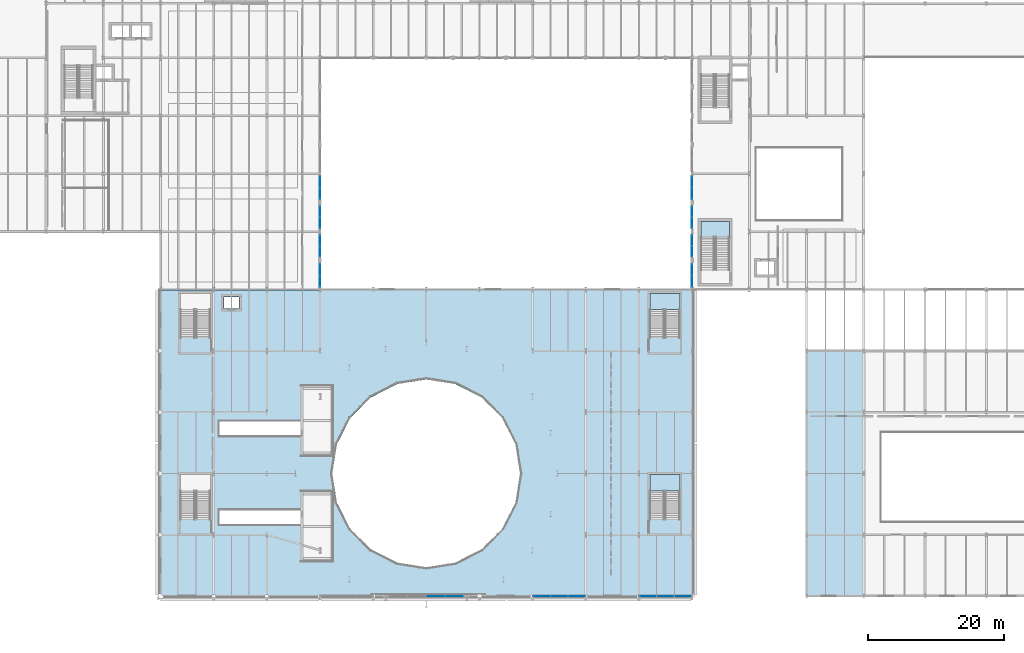
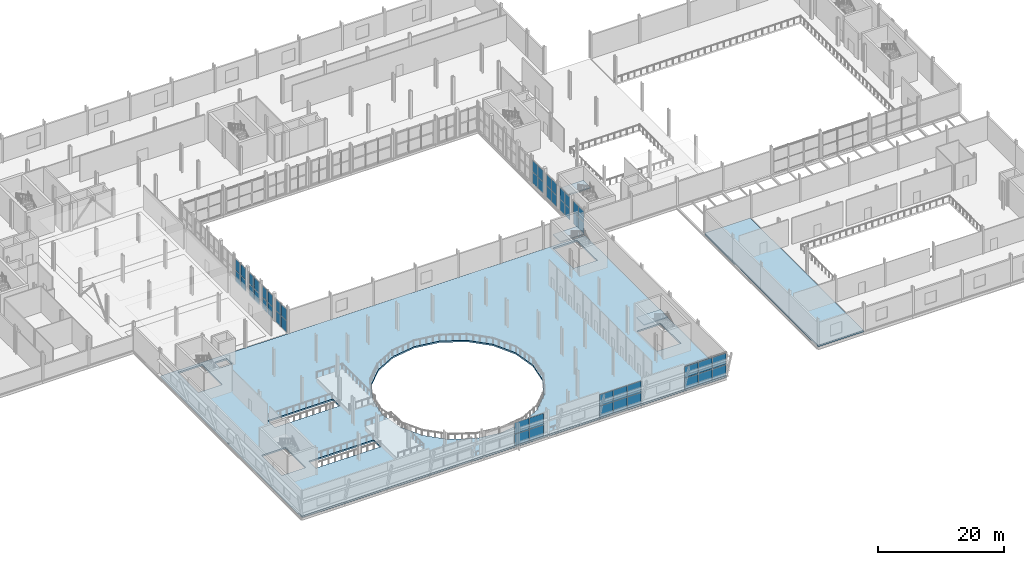
# One storey, part 39 of 78: 48 plates, 5 slabs, 14 elements without a shape of their own.
"""IFC4 building model written with IfcOpenShell, lengths in metres."""

import ifcopenshell
import ifcopenshell.guid

model = None  # the IFC model being written
_history = None  # IfcOwnerHistory: only IFC2X3 demands one
_inside = {}  # id of a spatial element -> (the spatial element, [elements in it])
_under = {}  # id of a project, library or spatial element -> (it, [spatial elements below it])
_declared = {}  # id of a project -> (the project, [libraries it declares])
_typed = {}  # id of a type object -> (the type object, [elements of that type])
_made_of = {}  # id of a material, layer set ... -> (it, [elements and type objects made of it])


def new_model(schema):
    """Start an empty IFC model of exactly this schema.

    Asked for "IFC4X3", IfcOpenShell would pick the latest addendum, in which some entities
    have other attributes; the version numbers below select the first issue.
    IFC2X3 requires an IfcOwnerHistory on every rooted entity: one is made here for all.
    """
    global model, _history
    if schema == "IFC4X3":
        model = ifcopenshell.file(schema_version=(4, 3, 0, 0))
    else:
        model = ifcopenshell.file(schema=schema)
    _inside.clear()
    _under.clear()
    _declared.clear()
    _typed.clear()
    _made_of.clear()
    _history = None
    if model.schema == "IFC2X3":
        org = make("IfcOrganization", Name="unknown")
        user = make(
            "IfcPersonAndOrganization",
            ThePerson=make("IfcPerson", FamilyName="unknown"),
            TheOrganization=org,
        )
        app = make(
            "IfcApplication",
            ApplicationDeveloper=org,
            Version="unknown",
            ApplicationFullName="unknown",
            ApplicationIdentifier="unknown",
        )
        _history = make(
            "IfcOwnerHistory",
            OwningUser=user,
            OwningApplication=app,
            ChangeAction="ADDED",
            CreationDate=0,
        )
    return model


def make(cls, **values):
    """One entity of the class cls with the attributes given. An attribute that is None is left unset."""
    return model.create_entity(
        cls, **{name: value for name, value in values.items() if value is not None}
    )


def rooted(cls, **values):
    """An entity with a GlobalId (a new one), such as an element, a storey or a relation."""
    return make(cls, GlobalId=ifcopenshell.guid.new(), OwnerHistory=_history, **values)


def si_unit(unit_type, name, prefix=None):
    """IfcSIUnit, for example si_unit("LENGTHUNIT", "METRE", prefix="MILLI")."""
    return make("IfcSIUnit", UnitType=unit_type, Prefix=prefix, Name=name)


def assignment(units):
    """IfcUnitAssignment: the units of a project."""
    return None if units is None else make("IfcUnitAssignment", Units=units)


def point(xyz):
    """IfcCartesianPoint."""
    return None if xyz is None else make("IfcCartesianPoint", Coordinates=xyz)


def direction(xyz):
    """IfcDirection."""
    return None if xyz is None else make("IfcDirection", DirectionRatios=xyz)


def frame(location, z_axis=None, x_axis=None):
    """IfcAxis2Placement3D, a coordinate frame: its origin and axes. An axis left out is left unset."""
    return make(
        "IfcAxis2Placement3D",
        Location=point(location),
        Axis=direction(z_axis),
        RefDirection=direction(x_axis),
    )


def frame_2d(location, x_axis=None):
    """IfcAxis2Placement2D, a coordinate frame in the plane: its origin and x axis."""
    return make(
        "IfcAxis2Placement2D", Location=point(location), RefDirection=direction(x_axis)
    )


def origin():
    """The frame at (0, 0, 0) with its axes left unset."""
    return frame((0.0, 0.0, 0.0))


def origin_2d():
    """The frame at (0, 0) in the plane with its x axis left unset."""
    return frame_2d((0.0, 0.0))


def place(relative_to, where):
    """IfcLocalPlacement: puts the frame where relative to a parent placement (None: the world)."""
    return make(
        "IfcLocalPlacement", PlacementRelTo=relative_to, RelativePlacement=where
    )


def context(
    kind, dimensions, precision=None, world=None, true_north=None, identifier=None
):
    """IfcGeometricRepresentationContext, for example the 3D "Model" context."""
    return make(
        "IfcGeometricRepresentationContext",
        ContextIdentifier=identifier,
        ContextType=kind,
        CoordinateSpaceDimension=dimensions,
        Precision=precision,
        WorldCoordinateSystem=world,
        TrueNorth=true_north,
    )


def subcontext(parent, identifier, kind, view, scale=None):
    """IfcGeometricRepresentationSubContext, for example "Body" below "Model"."""
    return make(
        "IfcGeometricRepresentationSubContext",
        ContextIdentifier=identifier,
        ContextType=kind,
        ParentContext=parent,
        TargetScale=scale,
        TargetView=view,
    )


def project(units=None, contexts=None):
    """IfcProject with its units and contexts."""
    return rooted(
        "IfcProject",
        Name="project",
        RepresentationContexts=contexts,
        UnitsInContext=assignment(units),
    )


def spatial(cls, under=None, at=None, **own):
    """A site, building, storey or space (cls), placed at a placement, below another one or the project."""
    s = rooted(cls, ObjectPlacement=at, **own)
    if under is not None:
        _under.setdefault(under.id(), (under, []))[1].append(s)
    return s


def polyline(points):
    """IfcPolyline through the points."""
    return make("IfcPolyline", Points=[point(p) for p in points])


def profile(cls, at=None, kind="AREA", **sizes):
    """A parametric profile (cls). Its sizes go by their IFC names, for example OverallWidth=200.0."""
    return make(cls, ProfileType=kind, Position=at, **sizes)


def rectangle(**sizes):
    """IfcRectangleProfileDef."""
    return profile("IfcRectangleProfileDef", **sizes)


def outline(outer, holes=None, kind="AREA"):
    """IfcArbitraryClosedProfileDef: a profile drawn as a closed curve; with holes, ...WithVoids."""
    if holes is None:
        return make("IfcArbitraryClosedProfileDef", ProfileType=kind, OuterCurve=outer)
    return make(
        "IfcArbitraryProfileDefWithVoids",
        ProfileType=kind,
        OuterCurve=outer,
        InnerCurves=holes,
    )


def extrude(swept, where, along, depth):
    """IfcExtrudedAreaSolid: the profile swept, set in the frame where, extruded along a direction by depth."""
    return make(
        "IfcExtrudedAreaSolid",
        SweptArea=swept,
        Position=where,
        ExtrudedDirection=direction(along),
        Depth=depth,
    )


def shape(context_of_items, identifier, shape_type, items):
    """IfcShapeRepresentation: the items that make up one representation, for example the "Body"."""
    return make(
        "IfcShapeRepresentation",
        ContextOfItems=context_of_items,
        RepresentationIdentifier=identifier,
        RepresentationType=shape_type,
        Items=items,
    )


def material(Name=None, Category=None):
    """IfcMaterial."""
    return make("IfcMaterial", Name=Name, Category=Category)


def layer(
    of_material, thickness, ventilated=None, Name=None, Category=None, Priority=None
):
    """IfcMaterialLayer: one layer of a wall or slab, of a material (None: an air gap)."""
    return make(
        "IfcMaterialLayer",
        Material=of_material,
        LayerThickness=thickness,
        IsVentilated=ventilated,
        Name=Name,
        Category=Category,
        Priority=Priority,
    )


def layer_set(layers, Name=None):
    """IfcMaterialLayerSet."""
    return make("IfcMaterialLayerSet", MaterialLayers=layers, LayerSetName=Name)


def made_of(thing, what):
    """Note that an element or type object is made of a material, layer set ...; save() writes the relation."""
    if what is not None:
        _made_of.setdefault(what.id(), (what, []))[1].append(thing)
    return thing


def type_object(cls, material=None, **own):
    """A type object (cls), such as IfcWallType, which elements share."""
    return made_of(rooted(cls, **own), material)


def element(
    cls,
    number,
    at=None,
    inside=None,
    cuts=None,
    type_object=None,
    material=None,
    context=None,
    identifier="Body",
    shape_type=None,
    held_by="IfcProductDefinitionShape",
    body=None,
    shapes=None,
    **own,
):
    """One element of the class cls, such as IfcWall. Its Tag is "e" and its number.

    at: its placement. inside: the storey or other place that contains it. cuts: it is an
    opening in that element (IfcRelVoidsElement). A single representation is given by context,
    identifier, shape_type and body (its items); several are given by shapes. held_by: the class
    of the entity that holds the representations. save() writes the other relations.
    """
    e = rooted(cls, Tag="e%d" % number, ObjectPlacement=at, **own)
    if body is not None:
        shapes = [shape(context, identifier, shape_type, body)]
    if shapes is not None:
        e.Representation = make(held_by, Representations=shapes)
    if inside is not None:
        _inside.setdefault(inside.id(), (inside, []))[1].append(e)
    if cuts is not None:
        rooted(
            "IfcRelVoidsElement", RelatingBuildingElement=cuts, RelatedOpeningElement=e
        )
    if type_object is not None:
        _typed.setdefault(type_object.id(), (type_object, []))[1].append(e)
    return made_of(e, material)


def aggregate(whole, parts):
    """IfcRelAggregates: a whole, such as a stair, and the parts it consists of."""
    return rooted("IfcRelAggregates", RelatingObject=whole, RelatedObjects=parts)


def save(model, path):
    """Write the relations noted so far, then the file.

    IfcRelAggregates (storeys below a building ...), IfcRelContainedInSpatialStructure (elements
    in a storey), IfcRelDefinesByType, IfcRelAssociatesMaterial and IfcRelDeclares: one each for
    every whole, place, type object, material and project.
    """
    for whole, parts in _under.values():
        aggregate(whole, parts)
    for where, things in _inside.values():
        rooted(
            "IfcRelContainedInSpatialStructure",
            RelatedElements=things,
            RelatingStructure=where,
        )
    for kind, things in _typed.values():
        rooted("IfcRelDefinesByType", RelatedObjects=things, RelatingType=kind)
    for what, things in _made_of.values():
        rooted("IfcRelAssociatesMaterial", RelatedObjects=things, RelatingMaterial=what)
    for by, libraries in _declared.values():
        rooted("IfcRelDeclares", RelatingContext=by, RelatedDefinitions=libraries)
    model.write(path)


model = new_model("IFC4")

# Units and contexts
model_context = context("Model", 3, precision=1e-05, world=origin(), true_north=direction((0.0, 1.0)))
body_context = subcontext(model_context, "Body", "Model", "MODEL_VIEW")
ifc_project = project(units=[si_unit("LENGTHUNIT", "METRE"), si_unit("AREAUNIT", "SQUARE_METRE"), si_unit("VOLUMEUNIT", "CUBIC_METRE"), si_unit("PLANEANGLEUNIT", "RADIAN"), si_unit("MASSUNIT", "GRAM", prefix="KILO")], contexts=[model_context])

# Site, building, storey
site_placement = place(None, origin())
site = spatial("IfcSite", under=ifc_project, at=site_placement, CompositionType="ELEMENT")
building_placement = place(site_placement, origin())
building = spatial("IfcBuilding", under=site, at=building_placement, Name="Sefraquen Railside Congress Hotel", CompositionType="ELEMENT")
storey_placement = place(building_placement, frame((0.0, 0.0, 6.0)))
storey = spatial("IfcBuildingStorey", under=building, at=storey_placement, Name="L01", CompositionType="ELEMENT", Elevation=6.0)

# Curtain wall, plates
ifc_material_1 = material(Name="Thermally broken anodised aluminium and low-E double glazing", Category="aluminium")
ifc_layer_1 = layer(ifc_material_1, 0.199951171875)
ifc_layer_set_1 = layer_set([ifc_layer_1], Name="Thermally broken anodised aluminium and low-E double glazing")
curtain_wall_type_1 = type_object("IfcCurtainWallType", Name="TCW-UCW-07", PredefinedType="USERDEFINED", material=ifc_layer_set_1)
curtain_wall_1_placement = place(storey_placement, origin())
curtain_wall_1 = element("IfcCurtainWall", 1, at=curtain_wall_1_placement, inside=storey, type_object=curtain_wall_type_1, Name="Congress leaning south curtain wall L01-6", ObjectType="UNITISED CURTAIN WALL", PredefinedType="USERDEFINED")
ifc_material_2 = material(Name="Solar-control low-E double glazing", Category="glass")
ifc_layer_2 = layer(ifc_material_2, 0.02392578125)
ifc_layer_set_2 = layer_set([ifc_layer_2], Name="Solar-control low-E double glazing")
plate_type_1 = type_object("IfcPlateType", Name="TP-CWP-01", PredefinedType="CURTAIN_PANEL", material=ifc_layer_set_2)
plate_1_placement = place(storey_placement, frame((65.59326171875, 9.0, 0.0400390625), z_axis=(0.0, 0.0, 1.0), x_axis=(1.0, 0.0, 0.0)))
plate_1 = element("IfcPlate", 2, at=plate_1_placement, type_object=plate_type_1, Name="CW-L01-039 panel 1.1", PredefinedType="CURTAIN_PANEL", context=body_context, shape_type="SweptSolid", body=[
    extrude(rectangle(XDim=2.61669921875, YDim=0.02392578125, at=origin_2d()), origin(), (0.0, 0.0, 1.0), 2.169921875),
])
plate_2_placement = place(storey_placement, frame((68.2998046875, 9.0, 0.0400390625), z_axis=(0.0, 0.0, 1.0), x_axis=(1.0, 0.0, 0.0)))
plate_2 = element("IfcPlate", 3, at=plate_2_placement, type_object=plate_type_1, Name="CW-L01-039 panel 1.2", PredefinedType="CURTAIN_PANEL", context=body_context, shape_type="SweptSolid", body=[
    extrude(rectangle(XDim=2.61669921875, YDim=0.02392578125, at=origin_2d()), origin(), (0.0, 0.0, 1.0), 2.169921875),
])

ifc_layer_3 = layer(ifc_material_1, 0.199951171875)
ifc_layer_set_3 = layer_set([ifc_layer_3], Name="Thermally broken anodised aluminium and low-E double glazing")
curtain_wall_type_2 = type_object("IfcCurtainWallType", Name="TCW-UCW-08", PredefinedType="USERDEFINED", material=ifc_layer_set_3)
curtain_wall_2_placement = place(storey_placement, origin())
curtain_wall_2 = element("IfcCurtainWall", 4, at=curtain_wall_2_placement, inside=storey, type_object=curtain_wall_type_2, Name="Congress leaning south curtain wall L01-8", ObjectType="UNITISED CURTAIN WALL", PredefinedType="USERDEFINED")
plate_3_placement = place(storey_placement, frame((81.126708984375, 9.0, 0.0400390625), z_axis=(0.0, 0.0, 1.0), x_axis=(1.0, 0.0, 0.0)))
plate_3 = element("IfcPlate", 5, at=plate_3_placement, type_object=plate_type_1, Name="CW-L01-040 panel 1.1", PredefinedType="CURTAIN_PANEL", context=body_context, shape_type="SweptSolid", body=[
    extrude(rectangle(XDim=2.4833984375, YDim=0.02392578125, at=origin_2d()), origin(), (0.0, 0.0, 1.0), 2.169921875),
])
plate_4_placement = place(storey_placement, frame((83.699951171875, 9.0, 0.0400390625), z_axis=(0.0, 0.0, 1.0), x_axis=(1.0, 0.0, 0.0)))
plate_4 = element("IfcPlate", 6, at=plate_4_placement, type_object=plate_type_1, Name="CW-L01-040 panel 1.2", PredefinedType="CURTAIN_PANEL", context=body_context, shape_type="SweptSolid", body=[
    extrude(rectangle(XDim=2.4833984375, YDim=0.02392578125, at=origin_2d()), origin(), (0.0, 0.0, 1.0), 2.169921875),
])
plate_5_placement = place(storey_placement, frame((86.273193359375, 9.0, 0.0400390625), z_axis=(0.0, 0.0, 1.0), x_axis=(1.0, 0.0, 0.0)))
plate_5 = element("IfcPlate", 7, at=plate_5_placement, type_object=plate_type_1, Name="CW-L01-040 panel 1.3", PredefinedType="CURTAIN_PANEL", context=body_context, shape_type="SweptSolid", body=[
    extrude(rectangle(XDim=2.4833984375, YDim=0.02392578125, at=origin_2d()), origin(), (0.0, 0.0, 1.0), 2.169921875),
])

ifc_layer_4 = layer(ifc_material_1, 0.199951171875)
ifc_layer_set_4 = layer_set([ifc_layer_4], Name="Thermally broken anodised aluminium and low-E double glazing")
curtain_wall_type_3 = type_object("IfcCurtainWallType", Name="TCW-UCW-09", PredefinedType="USERDEFINED", material=ifc_layer_set_4)
curtain_wall_3_placement = place(storey_placement, origin())
curtain_wall_3 = element("IfcCurtainWall", 8, at=curtain_wall_3_placement, inside=storey, type_object=curtain_wall_type_3, Name="Congress leaning south curtain wall L01-10", ObjectType="UNITISED CURTAIN WALL", PredefinedType="USERDEFINED")
plate_6_placement = place(storey_placement, frame((96.726806640625, 9.0, 0.0400390625), z_axis=(0.0, 0.0, 1.0), x_axis=(1.0, 0.0, 0.0)))
plate_6 = element("IfcPlate", 9, at=plate_6_placement, type_object=plate_type_1, Name="CW-L01-041 panel 1.1", PredefinedType="CURTAIN_PANEL", context=body_context, shape_type="SweptSolid", body=[
    extrude(rectangle(XDim=2.4833984375, YDim=0.02392578125, at=origin_2d()), origin(), (0.0, 0.0, 1.0), 2.169921875),
])
plate_7_placement = place(storey_placement, frame((99.300048828125, 9.0, 0.0400390625), z_axis=(0.0, 0.0, 1.0), x_axis=(1.0, 0.0, 0.0)))
plate_7 = element("IfcPlate", 10, at=plate_7_placement, type_object=plate_type_1, Name="CW-L01-041 panel 1.2", PredefinedType="CURTAIN_PANEL", context=body_context, shape_type="SweptSolid", body=[
    extrude(rectangle(XDim=2.4833984375, YDim=0.02392578125, at=origin_2d()), origin(), (0.0, 0.0, 1.0), 2.169921875),
])
plate_8_placement = place(storey_placement, frame((101.873291015625, 9.0, 0.0400390625), z_axis=(0.0, 0.0, 1.0), x_axis=(1.0, 0.0, 0.0)))
plate_8 = element("IfcPlate", 11, at=plate_8_placement, type_object=plate_type_1, Name="CW-L01-041 panel 1.3", PredefinedType="CURTAIN_PANEL", context=body_context, shape_type="SweptSolid", body=[
    extrude(rectangle(XDim=2.4833984375, YDim=0.02392578125, at=origin_2d()), origin(), (0.0, 0.0, 1.0), 2.169921875),
])

ifc_layer_5 = layer(ifc_material_1, 0.199951171875)
ifc_layer_set_5 = layer_set([ifc_layer_5], Name="Thermally broken anodised aluminium and low-E double glazing")
curtain_wall_type_4 = type_object("IfcCurtainWallType", Name="TCW-UCW-13", PredefinedType="USERDEFINED", material=ifc_layer_set_5)
curtain_wall_4_placement = place(storey_placement, origin())
curtain_wall_4 = element("IfcCurtainWall", 12, at=curtain_wall_4_placement, inside=storey, type_object=curtain_wall_type_4, Name="Courtyard west gallery curtain wall L01", ObjectType="UNITISED CURTAIN WALL", PredefinedType="USERDEFINED")
plate_9_placement = place(storey_placement, frame((48.60009765625, 55.175048828125, 0.0400390625), z_axis=(0.0, 0.0, 1.0), x_axis=(0.0, 1.0, 0.0)))
plate_9 = element("IfcPlate", 13, at=plate_9_placement, type_object=plate_type_1, Name="CW-L01-045 panel 1.1", PredefinedType="CURTAIN_PANEL", context=body_context, shape_type="SweptSolid", body=[
    extrude(rectangle(XDim=1.639892578125, YDim=0.02392578125, at=origin_2d()), origin(), (0.0, 0.0, 1.0), 2.169921875),
])
plate_10_placement = place(storey_placement, frame((48.60009765625, 56.905029296875, 0.0400390625), z_axis=(0.0, 0.0, 1.0), x_axis=(0.0, 1.0, 0.0)))
plate_10 = element("IfcPlate", 14, at=plate_10_placement, type_object=plate_type_1, Name="CW-L01-045 panel 1.2", PredefinedType="CURTAIN_PANEL", context=body_context, shape_type="SweptSolid", body=[
    extrude(rectangle(XDim=1.639892578125, YDim=0.02392578125, at=origin_2d()), origin(), (0.0, 0.0, 1.0), 2.169921875),
])

curtain_wall_5_placement = place(storey_placement, origin())
curtain_wall_5 = element("IfcCurtainWall", 15, at=curtain_wall_5_placement, inside=storey, type_object=curtain_wall_type_4, Name="Courtyard west gallery curtain wall L01 bay 2", ObjectType="UNITISED CURTAIN WALL", PredefinedType="USERDEFINED")
plate_11_placement = place(storey_placement, frame((48.60009765625, 59.552490234375, 0.0400390625), z_axis=(0.0, 0.0, 1.0), x_axis=(0.0, 1.0, 0.0)))
plate_11 = element("IfcPlate", 16, at=plate_11_placement, type_object=plate_type_1, Name="CW-L01-045-S2 panel 1.1", PredefinedType="CURTAIN_PANEL", context=body_context, shape_type="SweptSolid", body=[
    extrude(rectangle(XDim=1.554931640625, YDim=0.02392578125, at=origin_2d()), origin(), (0.0, 0.0, 1.0), 2.169921875),
])
plate_12_placement = place(storey_placement, frame((48.60009765625, 61.197509765625, 0.0400390625), z_axis=(0.0, 0.0, 1.0), x_axis=(0.0, 1.0, 0.0)))
plate_12 = element("IfcPlate", 17, at=plate_12_placement, type_object=plate_type_1, Name="CW-L01-045-S2 panel 1.2", PredefinedType="CURTAIN_PANEL", context=body_context, shape_type="SweptSolid", body=[
    extrude(rectangle(XDim=1.554931640625, YDim=0.02392578125, at=origin_2d()), origin(), (0.0, 0.0, 1.0), 2.169921875),
])

curtain_wall_6_placement = place(storey_placement, origin())
curtain_wall_6 = element("IfcCurtainWall", 18, at=curtain_wall_6_placement, inside=storey, type_object=curtain_wall_type_4, Name="Courtyard west gallery curtain wall L01 bay 3", ObjectType="UNITISED CURTAIN WALL", PredefinedType="USERDEFINED")
plate_13_placement = place(storey_placement, frame((48.60009765625, 63.802490234375, 0.0400390625), z_axis=(0.0, 0.0, 1.0), x_axis=(0.0, 1.0, 0.0)))
plate_13 = element("IfcPlate", 19, at=plate_13_placement, type_object=plate_type_1, Name="CW-L01-045-S3 panel 1.1", PredefinedType="CURTAIN_PANEL", context=body_context, shape_type="SweptSolid", body=[
    extrude(rectangle(XDim=1.554931640625, YDim=0.02392578125, at=origin_2d()), origin(), (0.0, 0.0, 1.0), 2.169921875),
])
plate_14_placement = place(storey_placement, frame((48.60009765625, 65.447509765625, 0.0400390625), z_axis=(0.0, 0.0, 1.0), x_axis=(0.0, 1.0, 0.0)))
plate_14 = element("IfcPlate", 20, at=plate_14_placement, type_object=plate_type_1, Name="CW-L01-045-S3 panel 1.2", PredefinedType="CURTAIN_PANEL", context=body_context, shape_type="SweptSolid", body=[
    extrude(rectangle(XDim=1.554931640625, YDim=0.02392578125, at=origin_2d()), origin(), (0.0, 0.0, 1.0), 2.169921875),
])

curtain_wall_7_placement = place(storey_placement, origin())
curtain_wall_7 = element("IfcCurtainWall", 21, at=curtain_wall_7_placement, inside=storey, type_object=curtain_wall_type_4, Name="Courtyard west gallery curtain wall L01 bay 4", ObjectType="UNITISED CURTAIN WALL", PredefinedType="USERDEFINED")
plate_15_placement = place(storey_placement, frame((48.60009765625, 68.094970703125, 0.0400390625), z_axis=(0.0, 0.0, 1.0), x_axis=(0.0, 1.0, 0.0)))
plate_15 = element("IfcPlate", 22, at=plate_15_placement, type_object=plate_type_1, Name="CW-L01-045-S4 panel 1.1", PredefinedType="CURTAIN_PANEL", context=body_context, shape_type="SweptSolid", body=[
    extrude(rectangle(XDim=1.639892578125, YDim=0.02392578125, at=origin_2d()), origin(), (0.0, 0.0, 1.0), 2.169921875),
])
plate_16_placement = place(storey_placement, frame((48.60009765625, 69.824951171875, 0.0400390625), z_axis=(0.0, 0.0, 1.0), x_axis=(0.0, 1.0, 0.0)))
plate_16 = element("IfcPlate", 23, at=plate_16_placement, type_object=plate_type_1, Name="CW-L01-045-S4 panel 1.2", PredefinedType="CURTAIN_PANEL", context=body_context, shape_type="SweptSolid", body=[
    extrude(rectangle(XDim=1.639892578125, YDim=0.02392578125, at=origin_2d()), origin(), (0.0, 0.0, 1.0), 2.169921875),
])

ifc_layer_6 = layer(ifc_material_1, 0.199951171875)
ifc_layer_set_6 = layer_set([ifc_layer_6], Name="Thermally broken anodised aluminium and low-E double glazing")
curtain_wall_type_5 = type_object("IfcCurtainWallType", Name="TCW-UCW-14", PredefinedType="USERDEFINED", material=ifc_layer_set_6)
curtain_wall_8_placement = place(storey_placement, origin())
curtain_wall_8 = element("IfcCurtainWall", 24, at=curtain_wall_8_placement, inside=storey, type_object=curtain_wall_type_5, Name="Courtyard east gallery curtain wall L01", ObjectType="UNITISED CURTAIN WALL", PredefinedType="USERDEFINED")
plate_17_placement = place(storey_placement, frame((103.199951171875, 55.175048828125, 0.0400390625), z_axis=(0.0, 0.0, 1.0), x_axis=(0.0, 1.0, 0.0)))
plate_17 = element("IfcPlate", 25, at=plate_17_placement, type_object=plate_type_1, Name="CW-L01-046 panel 1.1", PredefinedType="CURTAIN_PANEL", context=body_context, shape_type="SweptSolid", body=[
    extrude(rectangle(XDim=1.639892578125, YDim=0.02392578125, at=origin_2d()), origin(), (0.0, 0.0, 1.0), 2.169921875),
])
plate_18_placement = place(storey_placement, frame((103.199951171875, 56.905029296875, 0.0400390625), z_axis=(0.0, 0.0, 1.0), x_axis=(0.0, 1.0, 0.0)))
plate_18 = element("IfcPlate", 26, at=plate_18_placement, type_object=plate_type_1, Name="CW-L01-046 panel 1.2", PredefinedType="CURTAIN_PANEL", context=body_context, shape_type="SweptSolid", body=[
    extrude(rectangle(XDim=1.639892578125, YDim=0.02392578125, at=origin_2d()), origin(), (0.0, 0.0, 1.0), 2.169921875),
])

curtain_wall_9_placement = place(storey_placement, origin())
curtain_wall_9 = element("IfcCurtainWall", 27, at=curtain_wall_9_placement, inside=storey, type_object=curtain_wall_type_5, Name="Courtyard east gallery curtain wall L01 bay 2", ObjectType="UNITISED CURTAIN WALL", PredefinedType="USERDEFINED")
plate_19_placement = place(storey_placement, frame((103.199951171875, 59.552490234375, 0.0400390625), z_axis=(0.0, 0.0, 1.0), x_axis=(0.0, 1.0, 0.0)))
plate_19 = element("IfcPlate", 28, at=plate_19_placement, type_object=plate_type_1, Name="CW-L01-046-S2 panel 1.1", PredefinedType="CURTAIN_PANEL", context=body_context, shape_type="SweptSolid", body=[
    extrude(rectangle(XDim=1.554931640625, YDim=0.02392578125, at=origin_2d()), origin(), (0.0, 0.0, 1.0), 2.169921875),
])
plate_20_placement = place(storey_placement, frame((103.199951171875, 61.197509765625, 0.0400390625), z_axis=(0.0, 0.0, 1.0), x_axis=(0.0, 1.0, 0.0)))
plate_20 = element("IfcPlate", 29, at=plate_20_placement, type_object=plate_type_1, Name="CW-L01-046-S2 panel 1.2", PredefinedType="CURTAIN_PANEL", context=body_context, shape_type="SweptSolid", body=[
    extrude(rectangle(XDim=1.554931640625, YDim=0.02392578125, at=origin_2d()), origin(), (0.0, 0.0, 1.0), 2.169921875),
])

curtain_wall_10_placement = place(storey_placement, origin())
curtain_wall_10 = element("IfcCurtainWall", 30, at=curtain_wall_10_placement, inside=storey, type_object=curtain_wall_type_5, Name="Courtyard east gallery curtain wall L01 bay 3", ObjectType="UNITISED CURTAIN WALL", PredefinedType="USERDEFINED")
plate_21_placement = place(storey_placement, frame((103.199951171875, 63.802490234375, 0.0400390625), z_axis=(0.0, 0.0, 1.0), x_axis=(0.0, 1.0, 0.0)))
plate_21 = element("IfcPlate", 31, at=plate_21_placement, type_object=plate_type_1, Name="CW-L01-046-S3 panel 1.1", PredefinedType="CURTAIN_PANEL", context=body_context, shape_type="SweptSolid", body=[
    extrude(rectangle(XDim=1.554931640625, YDim=0.02392578125, at=origin_2d()), origin(), (0.0, 0.0, 1.0), 2.169921875),
])
plate_22_placement = place(storey_placement, frame((103.199951171875, 65.447509765625, 0.0400390625), z_axis=(0.0, 0.0, 1.0), x_axis=(0.0, 1.0, 0.0)))
plate_22 = element("IfcPlate", 32, at=plate_22_placement, type_object=plate_type_1, Name="CW-L01-046-S3 panel 1.2", PredefinedType="CURTAIN_PANEL", context=body_context, shape_type="SweptSolid", body=[
    extrude(rectangle(XDim=1.554931640625, YDim=0.02392578125, at=origin_2d()), origin(), (0.0, 0.0, 1.0), 2.169921875),
])

curtain_wall_11_placement = place(storey_placement, origin())
curtain_wall_11 = element("IfcCurtainWall", 33, at=curtain_wall_11_placement, inside=storey, type_object=curtain_wall_type_5, Name="Courtyard east gallery curtain wall L01 bay 4", ObjectType="UNITISED CURTAIN WALL", PredefinedType="USERDEFINED")
plate_23_placement = place(storey_placement, frame((103.199951171875, 68.094970703125, 0.0400390625), z_axis=(0.0, 0.0, 1.0), x_axis=(0.0, 1.0, 0.0)))
plate_23 = element("IfcPlate", 34, at=plate_23_placement, type_object=plate_type_1, Name="CW-L01-046-S4 panel 1.1", PredefinedType="CURTAIN_PANEL", context=body_context, shape_type="SweptSolid", body=[
    extrude(rectangle(XDim=1.639892578125, YDim=0.02392578125, at=origin_2d()), origin(), (0.0, 0.0, 1.0), 2.169921875),
])
plate_24_placement = place(storey_placement, frame((103.199951171875, 69.824951171875, 0.0400390625), z_axis=(0.0, 0.0, 1.0), x_axis=(0.0, 1.0, 0.0)))
plate_24 = element("IfcPlate", 35, at=plate_24_placement, type_object=plate_type_1, Name="CW-L01-046-S4 panel 1.2", PredefinedType="CURTAIN_PANEL", context=body_context, shape_type="SweptSolid", body=[
    extrude(rectangle(XDim=1.639892578125, YDim=0.02392578125, at=origin_2d()), origin(), (0.0, 0.0, 1.0), 2.169921875),
])

# Plate
ifc_material_3 = material(Name="Triple acoustic solar-control glazing", Category="glass")
ifc_layer_7 = layer(ifc_material_3, 0.031982421875)
ifc_layer_set_7 = layer_set([ifc_layer_7], Name="Triple acoustic solar-control glazing")
plate_type_2 = type_object("IfcPlateType", Name="TP-CWP-02", PredefinedType="CURTAIN_PANEL", material=ifc_layer_set_7)
plate_25_placement = place(storey_placement, frame((65.59326171875, 9.0, 2.2900390625), z_axis=(0.0, 0.0, 1.0), x_axis=(1.0, 0.0, 0.0)))
plate_25 = element("IfcPlate", 36, at=plate_25_placement, type_object=plate_type_2, Name="CW-L01-039 panel 2.1", PredefinedType="CURTAIN_PANEL", context=body_context, shape_type="SweptSolid", body=[
    extrude(rectangle(XDim=2.61669921875, YDim=0.031982421875, at=origin_2d()), origin(), (0.0, 0.0, 1.0), 2.169921875),
])

plate_26_placement = place(storey_placement, frame((68.2998046875, 9.0, 2.2900390625), z_axis=(0.0, 0.0, 1.0), x_axis=(1.0, 0.0, 0.0)))
plate_26 = element("IfcPlate", 37, at=plate_26_placement, type_object=plate_type_2, Name="CW-L01-039 panel 2.2", PredefinedType="CURTAIN_PANEL", context=body_context, shape_type="SweptSolid", body=[
    extrude(rectangle(XDim=2.61669921875, YDim=0.031982421875, at=origin_2d()), origin(), (0.0, 0.0, 1.0), 2.169921875),
])

aggregate(curtain_wall_1, [plate_1, plate_2, plate_25, plate_26])

plate_27_placement = place(storey_placement, frame((81.126708984375, 9.0, 2.2900390625), z_axis=(0.0, 0.0, 1.0), x_axis=(1.0, 0.0, 0.0)))
plate_27 = element("IfcPlate", 38, at=plate_27_placement, type_object=plate_type_2, Name="CW-L01-040 panel 2.1", PredefinedType="CURTAIN_PANEL", context=body_context, shape_type="SweptSolid", body=[
    extrude(rectangle(XDim=2.4833984375, YDim=0.031982421875, at=origin_2d()), origin(), (0.0, 0.0, 1.0), 2.169921875),
])

plate_28_placement = place(storey_placement, frame((83.699951171875, 9.0, 2.2900390625), z_axis=(0.0, 0.0, 1.0), x_axis=(1.0, 0.0, 0.0)))
plate_28 = element("IfcPlate", 39, at=plate_28_placement, type_object=plate_type_2, Name="CW-L01-040 panel 2.2", PredefinedType="CURTAIN_PANEL", context=body_context, shape_type="SweptSolid", body=[
    extrude(rectangle(XDim=2.4833984375, YDim=0.031982421875, at=origin_2d()), origin(), (0.0, 0.0, 1.0), 2.169921875),
])

plate_29_placement = place(storey_placement, frame((86.273193359375, 9.0, 2.2900390625), z_axis=(0.0, 0.0, 1.0), x_axis=(1.0, 0.0, 0.0)))
plate_29 = element("IfcPlate", 40, at=plate_29_placement, type_object=plate_type_2, Name="CW-L01-040 panel 2.3", PredefinedType="CURTAIN_PANEL", context=body_context, shape_type="SweptSolid", body=[
    extrude(rectangle(XDim=2.4833984375, YDim=0.031982421875, at=origin_2d()), origin(), (0.0, 0.0, 1.0), 2.169921875),
])

aggregate(curtain_wall_2, [plate_3, plate_4, plate_5, plate_27, plate_28, plate_29])

plate_30_placement = place(storey_placement, frame((96.726806640625, 9.0, 2.2900390625), z_axis=(0.0, 0.0, 1.0), x_axis=(1.0, 0.0, 0.0)))
plate_30 = element("IfcPlate", 41, at=plate_30_placement, type_object=plate_type_2, Name="CW-L01-041 panel 2.1", PredefinedType="CURTAIN_PANEL", context=body_context, shape_type="SweptSolid", body=[
    extrude(rectangle(XDim=2.4833984375, YDim=0.031982421875, at=origin_2d()), origin(), (0.0, 0.0, 1.0), 2.169921875),
])

plate_31_placement = place(storey_placement, frame((99.300048828125, 9.0, 2.2900390625), z_axis=(0.0, 0.0, 1.0), x_axis=(1.0, 0.0, 0.0)))
plate_31 = element("IfcPlate", 42, at=plate_31_placement, type_object=plate_type_2, Name="CW-L01-041 panel 2.2", PredefinedType="CURTAIN_PANEL", context=body_context, shape_type="SweptSolid", body=[
    extrude(rectangle(XDim=2.4833984375, YDim=0.031982421875, at=origin_2d()), origin(), (0.0, 0.0, 1.0), 2.169921875),
])

plate_32_placement = place(storey_placement, frame((101.873291015625, 9.0, 2.2900390625), z_axis=(0.0, 0.0, 1.0), x_axis=(1.0, 0.0, 0.0)))
plate_32 = element("IfcPlate", 43, at=plate_32_placement, type_object=plate_type_2, Name="CW-L01-041 panel 2.3", PredefinedType="CURTAIN_PANEL", context=body_context, shape_type="SweptSolid", body=[
    extrude(rectangle(XDim=2.4833984375, YDim=0.031982421875, at=origin_2d()), origin(), (0.0, 0.0, 1.0), 2.169921875),
])

aggregate(curtain_wall_3, [plate_6, plate_7, plate_8, plate_30, plate_31, plate_32])

plate_33_placement = place(storey_placement, frame((48.60009765625, 55.175048828125, 2.2900390625), z_axis=(0.0, 0.0, 1.0), x_axis=(0.0, 1.0, 0.0)))
plate_33 = element("IfcPlate", 44, at=plate_33_placement, type_object=plate_type_2, Name="CW-L01-045 panel 2.1", PredefinedType="CURTAIN_PANEL", context=body_context, shape_type="SweptSolid", body=[
    extrude(rectangle(XDim=1.639892578125, YDim=0.031982421875, at=origin_2d()), origin(), (0.0, 0.0, 1.0), 2.169921875),
])

plate_34_placement = place(storey_placement, frame((48.60009765625, 56.905029296875, 2.2900390625), z_axis=(0.0, 0.0, 1.0), x_axis=(0.0, 1.0, 0.0)))
plate_34 = element("IfcPlate", 45, at=plate_34_placement, type_object=plate_type_2, Name="CW-L01-045 panel 2.2", PredefinedType="CURTAIN_PANEL", context=body_context, shape_type="SweptSolid", body=[
    extrude(rectangle(XDim=1.639892578125, YDim=0.031982421875, at=origin_2d()), origin(), (0.0, 0.0, 1.0), 2.169921875),
])

aggregate(curtain_wall_4, [plate_9, plate_10, plate_33, plate_34])

plate_35_placement = place(storey_placement, frame((48.60009765625, 59.552490234375, 2.2900390625), z_axis=(0.0, 0.0, 1.0), x_axis=(0.0, 1.0, 0.0)))
plate_35 = element("IfcPlate", 46, at=plate_35_placement, type_object=plate_type_2, Name="CW-L01-045-S2 panel 2.1", PredefinedType="CURTAIN_PANEL", context=body_context, shape_type="SweptSolid", body=[
    extrude(rectangle(XDim=1.554931640625, YDim=0.031982421875, at=origin_2d()), origin(), (0.0, 0.0, 1.0), 2.169921875),
])

plate_36_placement = place(storey_placement, frame((48.60009765625, 61.197509765625, 2.2900390625), z_axis=(0.0, 0.0, 1.0), x_axis=(0.0, 1.0, 0.0)))
plate_36 = element("IfcPlate", 47, at=plate_36_placement, type_object=plate_type_2, Name="CW-L01-045-S2 panel 2.2", PredefinedType="CURTAIN_PANEL", context=body_context, shape_type="SweptSolid", body=[
    extrude(rectangle(XDim=1.554931640625, YDim=0.031982421875, at=origin_2d()), origin(), (0.0, 0.0, 1.0), 2.169921875),
])

aggregate(curtain_wall_5, [plate_11, plate_12, plate_35, plate_36])

plate_37_placement = place(storey_placement, frame((48.60009765625, 63.802490234375, 2.2900390625), z_axis=(0.0, 0.0, 1.0), x_axis=(0.0, 1.0, 0.0)))
plate_37 = element("IfcPlate", 48, at=plate_37_placement, type_object=plate_type_2, Name="CW-L01-045-S3 panel 2.1", PredefinedType="CURTAIN_PANEL", context=body_context, shape_type="SweptSolid", body=[
    extrude(rectangle(XDim=1.554931640625, YDim=0.031982421875, at=origin_2d()), origin(), (0.0, 0.0, 1.0), 2.169921875),
])

plate_38_placement = place(storey_placement, frame((48.60009765625, 65.447509765625, 2.2900390625), z_axis=(0.0, 0.0, 1.0), x_axis=(0.0, 1.0, 0.0)))
plate_38 = element("IfcPlate", 49, at=plate_38_placement, type_object=plate_type_2, Name="CW-L01-045-S3 panel 2.2", PredefinedType="CURTAIN_PANEL", context=body_context, shape_type="SweptSolid", body=[
    extrude(rectangle(XDim=1.554931640625, YDim=0.031982421875, at=origin_2d()), origin(), (0.0, 0.0, 1.0), 2.169921875),
])

aggregate(curtain_wall_6, [plate_13, plate_14, plate_37, plate_38])

plate_39_placement = place(storey_placement, frame((48.60009765625, 68.094970703125, 2.2900390625), z_axis=(0.0, 0.0, 1.0), x_axis=(0.0, 1.0, 0.0)))
plate_39 = element("IfcPlate", 50, at=plate_39_placement, type_object=plate_type_2, Name="CW-L01-045-S4 panel 2.1", PredefinedType="CURTAIN_PANEL", context=body_context, shape_type="SweptSolid", body=[
    extrude(rectangle(XDim=1.639892578125, YDim=0.031982421875, at=origin_2d()), origin(), (0.0, 0.0, 1.0), 2.169921875),
])

plate_40_placement = place(storey_placement, frame((48.60009765625, 69.824951171875, 2.2900390625), z_axis=(0.0, 0.0, 1.0), x_axis=(0.0, 1.0, 0.0)))
plate_40 = element("IfcPlate", 51, at=plate_40_placement, type_object=plate_type_2, Name="CW-L01-045-S4 panel 2.2", PredefinedType="CURTAIN_PANEL", context=body_context, shape_type="SweptSolid", body=[
    extrude(rectangle(XDim=1.639892578125, YDim=0.031982421875, at=origin_2d()), origin(), (0.0, 0.0, 1.0), 2.169921875),
])

aggregate(curtain_wall_7, [plate_15, plate_16, plate_39, plate_40])

plate_41_placement = place(storey_placement, frame((103.199951171875, 55.175048828125, 2.2900390625), z_axis=(0.0, 0.0, 1.0), x_axis=(0.0, 1.0, 0.0)))
plate_41 = element("IfcPlate", 52, at=plate_41_placement, type_object=plate_type_2, Name="CW-L01-046 panel 2.1", PredefinedType="CURTAIN_PANEL", context=body_context, shape_type="SweptSolid", body=[
    extrude(rectangle(XDim=1.639892578125, YDim=0.031982421875, at=origin_2d()), origin(), (0.0, 0.0, 1.0), 2.169921875),
])

plate_42_placement = place(storey_placement, frame((103.199951171875, 56.905029296875, 2.2900390625), z_axis=(0.0, 0.0, 1.0), x_axis=(0.0, 1.0, 0.0)))
plate_42 = element("IfcPlate", 53, at=plate_42_placement, type_object=plate_type_2, Name="CW-L01-046 panel 2.2", PredefinedType="CURTAIN_PANEL", context=body_context, shape_type="SweptSolid", body=[
    extrude(rectangle(XDim=1.639892578125, YDim=0.031982421875, at=origin_2d()), origin(), (0.0, 0.0, 1.0), 2.169921875),
])

aggregate(curtain_wall_8, [plate_17, plate_18, plate_41, plate_42])

plate_43_placement = place(storey_placement, frame((103.199951171875, 59.552490234375, 2.2900390625), z_axis=(0.0, 0.0, 1.0), x_axis=(0.0, 1.0, 0.0)))
plate_43 = element("IfcPlate", 54, at=plate_43_placement, type_object=plate_type_2, Name="CW-L01-046-S2 panel 2.1", PredefinedType="CURTAIN_PANEL", context=body_context, shape_type="SweptSolid", body=[
    extrude(rectangle(XDim=1.554931640625, YDim=0.031982421875, at=origin_2d()), origin(), (0.0, 0.0, 1.0), 2.169921875),
])

plate_44_placement = place(storey_placement, frame((103.199951171875, 61.197509765625, 2.2900390625), z_axis=(0.0, 0.0, 1.0), x_axis=(0.0, 1.0, 0.0)))
plate_44 = element("IfcPlate", 55, at=plate_44_placement, type_object=plate_type_2, Name="CW-L01-046-S2 panel 2.2", PredefinedType="CURTAIN_PANEL", context=body_context, shape_type="SweptSolid", body=[
    extrude(rectangle(XDim=1.554931640625, YDim=0.031982421875, at=origin_2d()), origin(), (0.0, 0.0, 1.0), 2.169921875),
])

aggregate(curtain_wall_9, [plate_19, plate_20, plate_43, plate_44])

plate_45_placement = place(storey_placement, frame((103.199951171875, 63.802490234375, 2.2900390625), z_axis=(0.0, 0.0, 1.0), x_axis=(0.0, 1.0, 0.0)))
plate_45 = element("IfcPlate", 56, at=plate_45_placement, type_object=plate_type_2, Name="CW-L01-046-S3 panel 2.1", PredefinedType="CURTAIN_PANEL", context=body_context, shape_type="SweptSolid", body=[
    extrude(rectangle(XDim=1.554931640625, YDim=0.031982421875, at=origin_2d()), origin(), (0.0, 0.0, 1.0), 2.169921875),
])

plate_46_placement = place(storey_placement, frame((103.199951171875, 65.447509765625, 2.2900390625), z_axis=(0.0, 0.0, 1.0), x_axis=(0.0, 1.0, 0.0)))
plate_46 = element("IfcPlate", 57, at=plate_46_placement, type_object=plate_type_2, Name="CW-L01-046-S3 panel 2.2", PredefinedType="CURTAIN_PANEL", context=body_context, shape_type="SweptSolid", body=[
    extrude(rectangle(XDim=1.554931640625, YDim=0.031982421875, at=origin_2d()), origin(), (0.0, 0.0, 1.0), 2.169921875),
])

aggregate(curtain_wall_10, [plate_21, plate_22, plate_45, plate_46])

plate_47_placement = place(storey_placement, frame((103.199951171875, 68.094970703125, 2.2900390625), z_axis=(0.0, 0.0, 1.0), x_axis=(0.0, 1.0, 0.0)))
plate_47 = element("IfcPlate", 58, at=plate_47_placement, type_object=plate_type_2, Name="CW-L01-046-S4 panel 2.1", PredefinedType="CURTAIN_PANEL", context=body_context, shape_type="SweptSolid", body=[
    extrude(rectangle(XDim=1.639892578125, YDim=0.031982421875, at=origin_2d()), origin(), (0.0, 0.0, 1.0), 2.169921875),
])

plate_48_placement = place(storey_placement, frame((103.199951171875, 69.824951171875, 2.2900390625), z_axis=(0.0, 0.0, 1.0), x_axis=(0.0, 1.0, 0.0)))
plate_48 = element("IfcPlate", 59, at=plate_48_placement, type_object=plate_type_2, Name="CW-L01-046-S4 panel 2.2", PredefinedType="CURTAIN_PANEL", context=body_context, shape_type="SweptSolid", body=[
    extrude(rectangle(XDim=1.639892578125, YDim=0.031982421875, at=origin_2d()), origin(), (0.0, 0.0, 1.0), 2.169921875),
])

aggregate(curtain_wall_11, [plate_23, plate_24, plate_47, plate_48])

# Slabs
ifc_material_4 = material(Name="Concrete C40/50", Category="concrete")
ifc_layer_8 = layer(ifc_material_4, 0.300048828125)
ifc_layer_set_8 = layer_set([ifc_layer_8], Name="Concrete C40/50")
slab_type_1 = type_object("IfcSlabType", Name="TS-FS-300", PredefinedType="FLOOR", material=ifc_layer_set_8)
slab_1_placement = place(storey_placement, frame((0.0, 0.0, -0.300048828125)))
element("IfcSlab", 60, at=slab_1_placement, inside=storey, type_object=slab_type_1, Name="Congress Hall L01 upper concourse and balcony slab", PredefinedType="FLOOR", context=body_context, shape_type="SweptSolid", body=[
    extrude(outline(polyline([(25.199951171875, 9.0), (103.199951171875, 9.0), (103.199951171875, 53.949951171875), (25.199951171875, 53.949951171875), (25.199951171875, 9.0)]), holes=[polyline([(28.10009765625, 20.39990234375), (32.5, 20.39990234375), (32.5, 26.840087890625), (28.10009765625, 26.840087890625), (28.10009765625, 20.39990234375)]), polyline([(28.10009765625, 46.989990234375), (32.5, 46.989990234375), (32.5, 53.429931640625), (28.10009765625, 53.429931640625), (28.10009765625, 46.989990234375)]), polyline([(97.0, 20.39990234375), (101.39990234375, 20.39990234375), (101.39990234375, 26.840087890625), (97.0, 26.840087890625), (97.0, 20.39990234375)]), polyline([(97.0, 46.989990234375), (101.39990234375, 46.989990234375), (101.39990234375, 53.429931640625), (97.0, 53.429931640625), (97.0, 46.989990234375)]), polyline([(34.5, 51.199951171875), (36.699951171875, 51.199951171875), (36.699951171875, 52.89990234375), (34.5, 52.89990234375), (34.5, 51.199951171875)]), polyline([(78.0, 27.0), (77.32470703125, 31.264404296875), (75.364501953125, 35.111328125), (72.311279296875, 38.164306640625), (68.46435546875, 40.12451171875), (64.199951171875, 40.800048828125), (59.935546875, 40.12451171875), (56.088623046875, 38.164306640625), (53.03564453125, 35.111328125), (51.075439453125, 31.264404296875), (50.39990234375, 27.0), (51.075439453125, 22.735595703125), (53.03564453125, 18.888671875), (56.088623046875, 15.835693359375), (59.935546875, 13.87548828125), (64.199951171875, 13.199951171875), (68.46435546875, 13.87548828125), (72.311279296875, 15.835693359375), (75.364501953125, 18.888671875), (77.32470703125, 22.735595703125), (78.0, 27.0)]), polyline([(33.800048828125, 19.449951171875), (45.699951171875, 19.449951171875), (45.699951171875, 21.64990234375), (33.800048828125, 21.64990234375), (33.800048828125, 19.449951171875)]), polyline([(33.800048828125, 32.5), (45.699951171875, 32.5), (45.699951171875, 34.699951171875), (33.800048828125, 34.699951171875), (33.800048828125, 32.5)])]), origin(), (0.0, 0.0, 1.0), 0.300048828125),
])
slab_2_placement = place(storey_placement, frame((0.0, 0.0, -0.300048828125)))
element("IfcSlab", 61, at=slab_2_placement, inside=storey, type_object=slab_type_1, Name="Thermal Spa west L01 treatment floor slab", PredefinedType="FLOOR", context=body_context, shape_type="SweptSolid", body=[
    extrude(outline(polyline([(120.0, 9.0), (128.35009765625, 9.0), (128.35009765625, 45.0), (120.0, 45.0), (120.0, 9.0)])), origin(), (0.0, 0.0, 1.0), 0.300048828125),
])

# Stair, slab
stair_type_1 = type_object("IfcStairType", Name="TST-DOG-198-540", PredefinedType="HALF_TURN_STAIR", material=ifc_material_4)
stair_1_placement = place(storey_placement, origin())
stair_1 = element("IfcStair", 62, at=stair_1_placement, inside=storey, type_object=stair_type_1, Name="L01 Pressurized escape stair ST-M02", PredefinedType="HALF_TURN_STAIR")
ifc_layer_9 = layer(ifc_material_4, 0.199951171875)
ifc_layer_set_9 = layer_set([ifc_layer_9], Name="Concrete C40/50")
slab_type_2 = type_object("IfcSlabType", Name="TS-LD-200", PredefinedType="LANDING", material=ifc_layer_set_9)
slab_3_placement = place(storey_placement, frame((0.0, 0.0, 2.5)))
slab_3 = element("IfcSlab", 63, at=slab_3_placement, type_object=slab_type_2, Name="ST-M02 landing 1", PredefinedType="LANDING", context=body_context, shape_type="SweptSolid", body=[
    extrude(outline(polyline([(108.659912109375, 61.7099609375), (108.659912109375, 64.011962890625), (104.5, 64.011962890625), (104.5, 61.7099609375), (108.659912109375, 61.7099609375)])), origin(), (0.0, 0.0, 1.0), 0.199951171875),
])
aggregate(stair_1, [slab_3])

stair_type_2 = type_object("IfcStairType", Name="TST-DOG-210-480", PredefinedType="HALF_TURN_STAIR", material=ifc_material_4)
stair_2_placement = place(storey_placement, origin())
stair_2 = element("IfcStair", 64, at=stair_2_placement, inside=storey, type_object=stair_type_2, Name="L01 Pressurized escape stair ST-C03", PredefinedType="HALF_TURN_STAIR")
slab_4_placement = place(storey_placement, frame((0.0, 0.0, 2.5)))
slab_4 = element("IfcSlab", 65, at=slab_4_placement, type_object=slab_type_2, Name="ST-C03 landing 1", PredefinedType="LANDING", context=body_context, shape_type="SweptSolid", body=[
    extrude(outline(polyline([(101.39990234375, 24.4599609375), (101.39990234375, 26.840087890625), (97.0, 26.840087890625), (97.0, 24.4599609375), (101.39990234375, 24.4599609375)])), origin(), (0.0, 0.0, 1.0), 0.199951171875),
])
aggregate(stair_2, [slab_4])

stair_type_3 = type_object("IfcStairType", Name="TST-DOG-210-450", PredefinedType="HALF_TURN_STAIR", material=ifc_material_4)
stair_3_placement = place(storey_placement, origin())
stair_3 = element("IfcStair", 66, at=stair_3_placement, inside=storey, type_object=stair_type_3, Name="L01 Pressurized escape stair ST-C04", PredefinedType="HALF_TURN_STAIR")
slab_5_placement = place(storey_placement, frame((0.0, 0.0, 2.5)))
slab_5 = element("IfcSlab", 67, at=slab_5_placement, type_object=slab_type_2, Name="ST-C04 landing 1", PredefinedType="LANDING", context=body_context, shape_type="SweptSolid", body=[
    extrude(outline(polyline([(101.39990234375, 51.050048828125), (101.39990234375, 53.429931640625), (97.0, 53.429931640625), (97.0, 51.050048828125), (101.39990234375, 51.050048828125)])), origin(), (0.0, 0.0, 1.0), 0.199951171875),
])
aggregate(stair_3, [slab_5])

save(model, "model.ifc")
